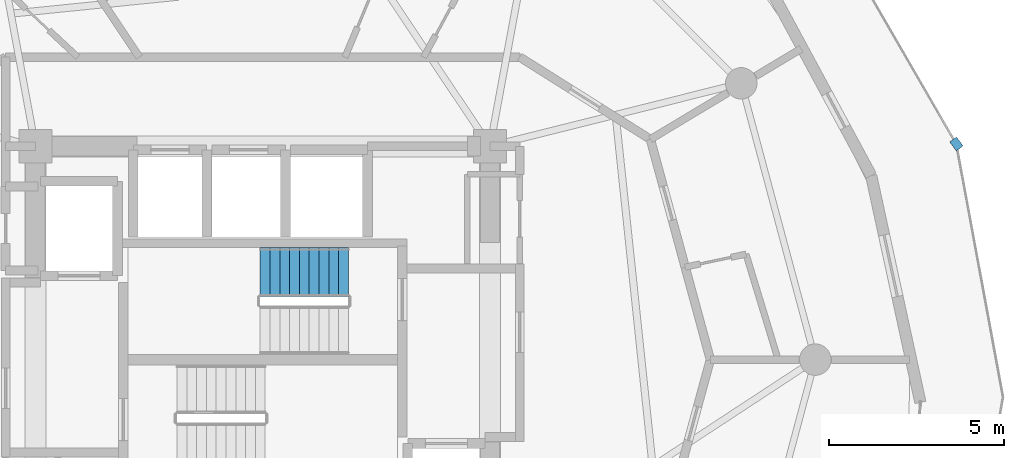
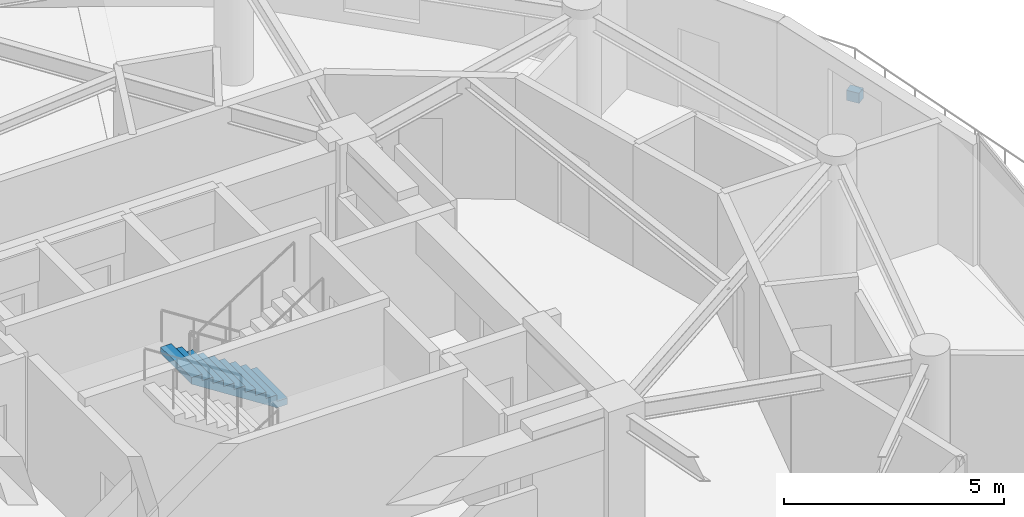
# One storey, part 21 of 23: 1 discrete accessory, 1 stair flight, 1 element without a shape of its own.
"""IFC4 building model written with IfcOpenShell, lengths in metres."""

from ifc_helpers import new_model, si_unit, direction, frame, origin, origin_2d, place, context, subcontext, project, spatial, polyline, rectangle, outline, extrude, material, type_object, element, aggregate, save


model = new_model("IFC4")

# Units and contexts
model_context = context("Model", 3, precision=1e-05, world=origin(), true_north=direction((0.0, 1.0)))
body_context = subcontext(model_context, "Body", "Model", "MODEL_VIEW")
ifc_project = project(units=[si_unit("LENGTHUNIT", "METRE"), si_unit("AREAUNIT", "SQUARE_METRE"), si_unit("VOLUMEUNIT", "CUBIC_METRE"), si_unit("PLANEANGLEUNIT", "RADIAN"), si_unit("MASSUNIT", "GRAM", prefix="KILO")], contexts=[model_context])

# Site, building, storey
site_placement = place(None, origin())
site = spatial("IfcSite", under=ifc_project, at=site_placement, CompositionType="ELEMENT")
building_placement = place(site_placement, origin())
building = spatial("IfcBuilding", under=site, at=building_placement, Name="Solvirekh Grand Hotel", CompositionType="ELEMENT")
storey_placement = place(building_placement, frame((0.0, 0.0, 176.800048828125)))
storey = spatial("IfcBuildingStorey", under=building, at=storey_placement, Name="L45", CompositionType="ELEMENT", Elevation=176.800048828125)

# Stair, stair flight
ifc_material_1 = material(Name="Concrete C40/50", Category="concrete")
stair_type = type_object("IfcStairType", Name="Stair_Core_1450", PredefinedType="HALF_TURN_STAIR", material=ifc_material_1)
stair_placement = place(storey_placement, origin())
stair = element("IfcStair", 1, at=stair_placement, inside=storey, type_object=stair_type, Name="L45 Enclosed exit stair ST-2", PredefinedType="HALF_TURN_STAIR")
stair_flight_type = type_object("IfcStairFlightType", Name="Flight_Core_1450", PredefinedType="STRAIGHT", material=ifc_material_1)
stair_flight_placement = place(storey_placement, frame((2.449951171875, 2.5, 0.0), z_axis=(0.0, 0.0, 1.0), x_axis=(-1.0, 0.0, 0.0)))
stair_flight = element("IfcStairFlight", 2, at=stair_flight_placement, type_object=stair_flight_type, Name="ST-2 flight 1", NumberOfRisers=10, NumberOfTreads=9, PredefinedType="STRAIGHT", RiserHeight=0.18, TreadLength=0.28, context=body_context, shape_type="SweptSolid", body=[
    extrude(outline(polyline([(0.0, 0.0), (0.0, 0.179931640625), (0.280029296875, 0.179931640625), (0.280029296875, 0.360107421875), (0.56005859375, 0.360107421875), (0.56005859375, 0.5400390625), (0.840087890625, 0.5400390625), (0.840087890625, 0.719970703125), (1.1201171875, 0.719970703125), (1.1201171875, 0.89990234375), (1.39990234375, 0.89990234375), (1.39990234375, 1.080078125), (1.679931640625, 1.080078125), (1.679931640625, 1.260009765625), (1.9599609375, 1.260009765625), (1.9599609375, 1.43994140625), (2.239990234375, 1.43994140625), (2.239990234375, 1.6201171875), (2.52001953125, 1.6201171875), (2.52001953125, 1.800048828125), (2.52001953125, 1.44189453125), (0.277099609375, 0.0), (0.0, 0.0)])), frame((0.0, 0.699951171875, 0.0), z_axis=(0.0, -1.0, 0.0), x_axis=(1.0, 0.0, 0.0)), (0.0, 0.0, 1.0), 1.39990234375),
])
aggregate(stair, [stair_flight])

# Discrete accessory
ifc_material_2 = material(Name="Steel S355", Category="steel")
discrete_accessory_type = type_object("IfcDiscreteAccessoryType", Name="Acc_ThermalBracket", PredefinedType="BRACKET", material=ifc_material_2)
discrete_accessory_placement = place(storey_placement, frame((19.8349609375, 6.16796875, -0.2802734375), z_axis=(0.0, 0.0, 1.0), x_axis=(0.59060566762, -0.806960312144, 0.0)))
element("IfcDiscreteAccessory", 3, at=discrete_accessory_placement, inside=storey, type_object=discrete_accessory_type, Name="L45 balcony thermal-break bracket", PredefinedType="BRACKET", context=body_context, shape_type="SweptSolid", body=[
    extrude(rectangle(XDim=0.320068359375, YDim=0.239990234375, at=origin_2d()), origin(), (0.0, 0.0, 1.0), 0.280029296875),
])

save(model, "model.ifc")
